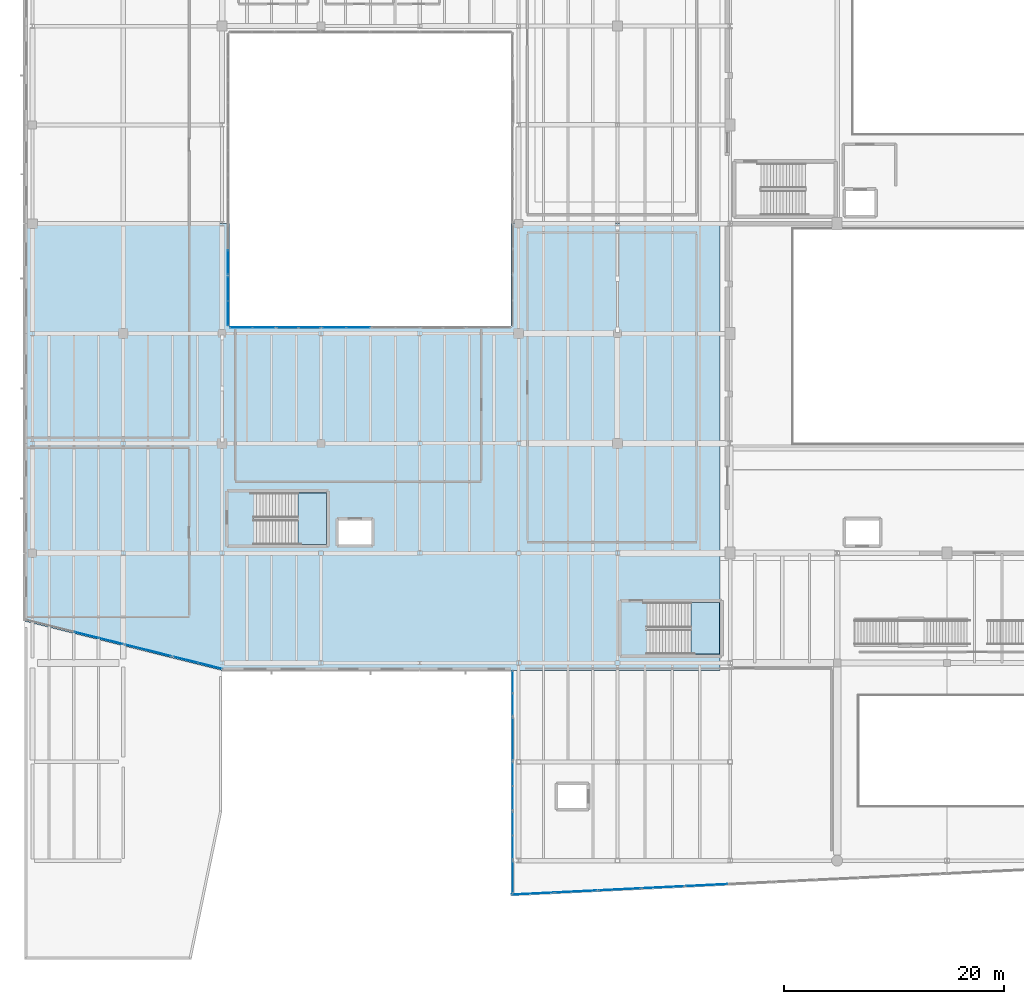
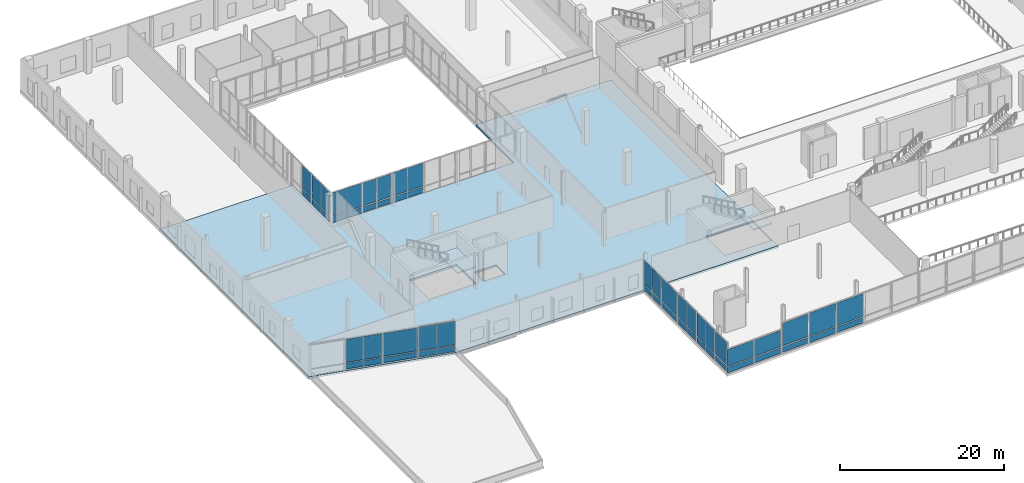
# One storey, part 51 of 81: 54 plates, 3 slabs, 20 elements without a shape of their own.
"""IFC4 building model written with IfcOpenShell, lengths in metres."""

from ifc_helpers import new_model, si_unit, direction, frame, origin, origin_2d, place, context, subcontext, project, spatial, polyline, rectangle, outline, extrude, material, layer, layer_set, type_object, element, aggregate, save


model = new_model("IFC4")

# Units and contexts
model_context = context("Model", 3, precision=1e-05, world=origin(), true_north=direction((0.0, 1.0)))
body_context = subcontext(model_context, "Body", "Model", "MODEL_VIEW")
ifc_project = project(units=[si_unit("LENGTHUNIT", "METRE"), si_unit("AREAUNIT", "SQUARE_METRE"), si_unit("VOLUMEUNIT", "CUBIC_METRE"), si_unit("PLANEANGLEUNIT", "RADIAN"), si_unit("MASSUNIT", "GRAM", prefix="KILO")], contexts=[model_context])

# Site, building, storey
site_placement = place(None, origin())
site = spatial("IfcSite", under=ifc_project, at=site_placement, CompositionType="ELEMENT")
building_placement = place(site_placement, origin())
building = spatial("IfcBuilding", under=site, at=building_placement, Name="Trimount Lyric Opera House", CompositionType="ELEMENT")
storey_placement = place(building_placement, frame((0.0, 0.0, 5.0)))
storey = spatial("IfcBuildingStorey", under=building, at=storey_placement, Name="L01", CompositionType="ELEMENT", Elevation=5.0)

# Curtain wall, plate
ifc_material_1 = material(Name="Thermally Broken Aluminium and Low-E Glass", Category="aluminium")
curtain_wall_type_1 = type_object("IfcCurtainWallType", Name="CW-01", PredefinedType="NOTDEFINED", material=ifc_material_1)
curtain_wall_1_placement = place(storey_placement, origin())
curtain_wall_1 = element("IfcCurtainWall", 1, at=curtain_wall_1_placement, inside=storey, type_object=curtain_wall_type_1, Name="L01 curtain wall 106", PredefinedType="NOTDEFINED")
ifc_material_2 = material(Name="Triple Low-E Acoustic Laminated Glass", Category="glass")
ifc_layer_1 = layer(ifc_material_2, 0.035888671875)
ifc_layer_set_1 = layer_set([ifc_layer_1], Name="CWP-01")
plate_type_1 = type_object("IfcPlateType", Name="CWP-01", PredefinedType="CURTAIN_PANEL", material=ifc_layer_set_1)
plate_1_placement = place(storey_placement, frame((62.1240234375, 23.775390625, 0.13525390625), z_axis=(0.0, 0.0, 1.0), x_axis=(-0.998814490119, -0.048678684537, 0.0)))
plate_1 = element("IfcPlate", 2, at=plate_1_placement, type_object=plate_type_1, Name="CW-01 panel 1.1", PredefinedType="CURTAIN_PANEL", context=body_context, shape_type="SweptSolid", body=[
    extrude(rectangle(XDim=3.752685546875, YDim=0.035888671875, at=origin_2d()), origin(), (0.0, 0.0, 1.0), 0.847412109375),
])

curtain_wall_2_placement = place(storey_placement, origin())
curtain_wall_2 = element("IfcCurtainWall", 3, at=curtain_wall_2_placement, inside=storey, type_object=curtain_wall_type_1, Name="L01 curtain wall 107", PredefinedType="NOTDEFINED")
plate_2_placement = place(storey_placement, frame((58.156005859375, 23.58203125, 0.114990234375), z_axis=(0.0, 0.0, 1.0), x_axis=(-0.998801934448, -0.048935628556, 0.0)))
plate_2 = element("IfcPlate", 4, at=plate_2_placement, type_object=plate_type_1, Name="CW-01 panel 1.1", PredefinedType="CURTAIN_PANEL", context=body_context, shape_type="SweptSolid", body=[
    extrude(rectangle(XDim=3.7626953125, YDim=0.035888671875, at=origin_2d()), origin(), (0.0, 0.0, 1.0), 0.87744140625),
])

curtain_wall_3_placement = place(storey_placement, origin())
curtain_wall_3 = element("IfcCurtainWall", 5, at=curtain_wall_3_placement, inside=storey, type_object=curtain_wall_type_1, Name="L01 curtain wall 108", PredefinedType="NOTDEFINED")
plate_3_placement = place(storey_placement, frame((54.18798828125, 23.388427734375, 0.159912109375), z_axis=(0.0, 0.0, 1.0), x_axis=(-0.998814490119, -0.048678684537, 0.0)))
plate_3 = element("IfcPlate", 6, at=plate_3_placement, type_object=plate_type_1, Name="CW-01 panel 1.1", PredefinedType="CURTAIN_PANEL", context=body_context, shape_type="SweptSolid", body=[
    extrude(rectangle(XDim=3.74267578125, YDim=0.035888671875, at=origin_2d()), origin(), (0.0, 0.0, 1.0), 0.81005859375),
])

curtain_wall_4_placement = place(storey_placement, origin())
curtain_wall_4 = element("IfcCurtainWall", 7, at=curtain_wall_4_placement, inside=storey, type_object=curtain_wall_type_1, Name="L01 curtain wall 109", PredefinedType="NOTDEFINED")
plate_4_placement = place(storey_placement, frame((50.219970703125, 23.194580078125, 0.13525390625), z_axis=(0.0, 0.0, 1.0), x_axis=(-0.998814490119, -0.048678684537, 0.0)))
plate_4 = element("IfcPlate", 8, at=plate_4_placement, type_object=plate_type_1, Name="CW-01 panel 1.1", PredefinedType="CURTAIN_PANEL", context=body_context, shape_type="SweptSolid", body=[
    extrude(rectangle(XDim=3.752685546875, YDim=0.035888671875, at=origin_2d()), origin(), (0.0, 0.0, 1.0), 0.847412109375),
])

curtain_wall_5_placement = place(storey_placement, origin())
curtain_wall_5 = element("IfcCurtainWall", 9, at=curtain_wall_5_placement, inside=storey, type_object=curtain_wall_type_1, Name="L01 curtain wall 110", PredefinedType="NOTDEFINED")
plate_5_placement = place(storey_placement, frame((46.251953125, 23.00146484375, 0.114990234375), z_axis=(0.0, 0.0, 1.0), x_axis=(-0.998814490119, -0.048678684537, 0.0)))
plate_5 = element("IfcPlate", 10, at=plate_5_placement, type_object=plate_type_1, Name="CW-01 panel 1.1", PredefinedType="CURTAIN_PANEL", context=body_context, shape_type="SweptSolid", body=[
    extrude(rectangle(XDim=3.7626953125, YDim=0.035888671875, at=origin_2d()), origin(), (0.0, 0.0, 1.0), 0.87744140625),
])

curtain_wall_6_placement = place(storey_placement, origin())
curtain_wall_6 = element("IfcCurtainWall", 11, at=curtain_wall_6_placement, inside=storey, type_object=curtain_wall_type_1, Name="L01 curtain wall 111", PredefinedType="NOTDEFINED")
plate_6_placement = place(storey_placement, frame((44.4599609375, 24.501953125, 0.159912109375), z_axis=(0.0, 0.0, 1.0), x_axis=(0.0, 1.0, 0.0)))
plate_6 = element("IfcPlate", 12, at=plate_6_placement, type_object=plate_type_1, Name="CW-01 panel 1.1", PredefinedType="CURTAIN_PANEL", context=body_context, shape_type="SweptSolid", body=[
    extrude(rectangle(XDim=2.85595703125, YDim=0.035888671875, at=origin_2d()), origin(), (0.0, 0.0, 1.0), 0.81005859375),
])

# Curtain wall, plates
curtain_wall_7_placement = place(storey_placement, origin())
curtain_wall_7 = element("IfcCurtainWall", 13, at=curtain_wall_7_placement, inside=storey, type_object=curtain_wall_type_1, Name="L01 curtain wall 112", PredefinedType="NOTDEFINED")
plate_7_placement = place(storey_placement, frame((44.4599609375, 27.208740234375, 0.13525390625), z_axis=(0.0, 0.0, 1.0), x_axis=(0.0, 1.0, 0.0)))
plate_7 = element("IfcPlate", 14, at=plate_7_placement, type_object=plate_type_1, Name="CW-01 panel 1.1", PredefinedType="CURTAIN_PANEL", context=body_context, shape_type="SweptSolid", body=[
    extrude(rectangle(XDim=2.107421875, YDim=0.035888671875, at=origin_2d()), origin(), (0.0, 0.0, 1.0), 0.847412109375),
])
plate_8_placement = place(storey_placement, frame((44.4599609375, 29.38134765625, 0.13525390625), z_axis=(0.0, 0.0, 1.0), x_axis=(0.0, 1.0, 0.0)))
plate_8 = element("IfcPlate", 15, at=plate_8_placement, type_object=plate_type_1, Name="CW-01 panel 2.1", PredefinedType="CURTAIN_PANEL", context=body_context, shape_type="SweptSolid", body=[
    extrude(rectangle(XDim=2.107421875, YDim=0.035888671875, at=origin_2d()), origin(), (0.0, 0.0, 1.0), 0.847412109375),
])

curtain_wall_8_placement = place(storey_placement, origin())
curtain_wall_8 = element("IfcCurtainWall", 16, at=curtain_wall_8_placement, inside=storey, type_object=curtain_wall_type_1, Name="L01 curtain wall 113", PredefinedType="NOTDEFINED")
plate_9_placement = place(storey_placement, frame((44.4599609375, 31.70751953125, 0.114990234375), z_axis=(0.0, 0.0, 1.0), x_axis=(0.0, 1.0, 0.0)))
plate_9 = element("IfcPlate", 17, at=plate_9_placement, type_object=plate_type_1, Name="CW-01 panel 1.1", PredefinedType="CURTAIN_PANEL", context=body_context, shape_type="SweptSolid", body=[
    extrude(rectangle(XDim=2.114990234375, YDim=0.035888671875, at=origin_2d()), origin(), (0.0, 0.0, 1.0), 0.87744140625),
])
plate_10_placement = place(storey_placement, frame((44.4599609375, 33.882568359375, 0.114990234375), z_axis=(0.0, 0.0, 1.0), x_axis=(0.0, 1.0, 0.0)))
plate_10 = element("IfcPlate", 18, at=plate_10_placement, type_object=plate_type_1, Name="CW-01 panel 2.1", PredefinedType="CURTAIN_PANEL", context=body_context, shape_type="SweptSolid", body=[
    extrude(rectangle(XDim=2.114990234375, YDim=0.035888671875, at=origin_2d()), origin(), (0.0, 0.0, 1.0), 0.87744140625),
])

# Curtain wall, plate
curtain_wall_9_placement = place(storey_placement, origin())
curtain_wall_9 = element("IfcCurtainWall", 19, at=curtain_wall_9_placement, inside=storey, type_object=curtain_wall_type_1, Name="L01 curtain wall 114", PredefinedType="NOTDEFINED")
plate_11_placement = place(storey_placement, frame((44.4599609375, 37.0849609375, 0.159912109375), z_axis=(0.0, 0.0, 1.0), x_axis=(0.0, 1.0, 0.0)))
plate_11 = element("IfcPlate", 20, at=plate_11_placement, type_object=plate_type_1, Name="CW-01 panel 1.1", PredefinedType="CURTAIN_PANEL", context=body_context, shape_type="SweptSolid", body=[
    extrude(rectangle(XDim=3.85009765625, YDim=0.035888671875, at=origin_2d()), origin(), (0.0, 0.0, 1.0), 0.81005859375),
])

# Curtain wall, plates
curtain_wall_10_placement = place(storey_placement, origin())
curtain_wall_10 = element("IfcCurtainWall", 21, at=curtain_wall_10_placement, inside=storey, type_object=curtain_wall_type_1, Name="L01 curtain wall 115", PredefinedType="NOTDEFINED")
plate_12_placement = place(storey_placement, frame((44.4599609375, 40.2236328125, 0.13525390625), z_axis=(0.0, 0.0, 1.0), x_axis=(0.0, 1.0, 0.0)))
plate_12 = element("IfcPlate", 22, at=plate_12_placement, type_object=plate_type_1, Name="CW-01 panel 1.1", PredefinedType="CURTAIN_PANEL", context=body_context, shape_type="SweptSolid", body=[
    extrude(rectangle(XDim=1.9775390625, YDim=0.035888671875, at=origin_2d()), origin(), (0.0, 0.0, 1.0), 0.847412109375),
])
plate_13_placement = place(storey_placement, frame((44.4599609375, 42.266357421875, 0.13525390625), z_axis=(0.0, 0.0, 1.0), x_axis=(0.0, 1.0, 0.0)))
plate_13 = element("IfcPlate", 23, at=plate_13_placement, type_object=plate_type_1, Name="CW-01 panel 2.1", PredefinedType="CURTAIN_PANEL", context=body_context, shape_type="SweptSolid", body=[
    extrude(rectangle(XDim=1.9775390625, YDim=0.035888671875, at=origin_2d()), origin(), (0.0, 0.0, 1.0), 0.847412109375),
])

ifc_material_3 = material(Name="Thermally Broken Aluminium and Low-E Glass", Category="aluminium")
curtain_wall_type_2 = type_object("IfcCurtainWallType", Name="CW-03", PredefinedType="NOTDEFINED", material=ifc_material_3)
curtain_wall_11_placement = place(storey_placement, origin())
curtain_wall_11 = element("IfcCurtainWall", 24, at=curtain_wall_11_placement, inside=storey, type_object=curtain_wall_type_2, Name="L01 curtain wall 143", PredefinedType="NOTDEFINED")
plate_14_placement = place(storey_placement, frame((19.735107421875, 74.5400390625, 0.114990234375), z_axis=(0.0, 0.0, 1.0), x_axis=(1.0, 0.0, 0.0)))
plate_14 = element("IfcPlate", 25, at=plate_14_placement, type_object=plate_type_1, Name="CW-03 panel 1.1", PredefinedType="CURTAIN_PANEL", context=body_context, shape_type="SweptSolid", body=[
    extrude(rectangle(XDim=1.989990234375, YDim=0.035888671875, at=origin_2d()), origin(), (0.0, 0.0, 1.0), 0.87744140625),
])
plate_15_placement = place(storey_placement, frame((21.784912109375, 74.5400390625, 0.114990234375), z_axis=(0.0, 0.0, 1.0), x_axis=(1.0, 0.0, 0.0)))
plate_15 = element("IfcPlate", 26, at=plate_15_placement, type_object=plate_type_1, Name="CW-03 panel 2.1", PredefinedType="CURTAIN_PANEL", context=body_context, shape_type="SweptSolid", body=[
    extrude(rectangle(XDim=1.989990234375, YDim=0.035888671875, at=origin_2d()), origin(), (0.0, 0.0, 1.0), 0.87744140625),
])

curtain_wall_12_placement = place(storey_placement, origin())
curtain_wall_12 = element("IfcCurtainWall", 27, at=curtain_wall_12_placement, inside=storey, type_object=curtain_wall_type_2, Name="L01 curtain wall 144", PredefinedType="NOTDEFINED")
plate_16_placement = place(storey_placement, frame((23.965087890625, 74.5400390625, 0.159912109375), z_axis=(0.0, 0.0, 1.0), x_axis=(1.0, 0.0, 0.0)))
plate_16 = element("IfcPlate", 28, at=plate_16_placement, type_object=plate_type_1, Name="CW-03 panel 1.1", PredefinedType="CURTAIN_PANEL", context=body_context, shape_type="SweptSolid", body=[
    extrude(rectangle(XDim=1.929931640625, YDim=0.035888671875, at=origin_2d()), origin(), (0.0, 0.0, 1.0), 0.81005859375),
])
plate_17_placement = place(storey_placement, frame((25.965087890625, 74.5400390625, 0.159912109375), z_axis=(0.0, 0.0, 1.0), x_axis=(1.0, 0.0, 0.0)))
plate_17 = element("IfcPlate", 29, at=plate_17_placement, type_object=plate_type_1, Name="CW-03 panel 2.1", PredefinedType="CURTAIN_PANEL", context=body_context, shape_type="SweptSolid", body=[
    extrude(rectangle(XDim=1.929931640625, YDim=0.035888671875, at=origin_2d()), origin(), (0.0, 0.0, 1.0), 0.81005859375),
])

curtain_wall_13_placement = place(storey_placement, origin())
curtain_wall_13 = element("IfcCurtainWall", 30, at=curtain_wall_13_placement, inside=storey, type_object=curtain_wall_type_2, Name="L01 curtain wall 145", PredefinedType="NOTDEFINED")
plate_18_placement = place(storey_placement, frame((28.208740234375, 74.5400390625, 0.13525390625), z_axis=(0.0, 0.0, 1.0), x_axis=(1.0, 0.0, 0.0)))
plate_18 = element("IfcPlate", 31, at=plate_18_placement, type_object=plate_type_1, Name="CW-03 panel 1.1", PredefinedType="CURTAIN_PANEL", context=body_context, shape_type="SweptSolid", body=[
    extrude(rectangle(XDim=2.107421875, YDim=0.035888671875, at=origin_2d()), origin(), (0.0, 0.0, 1.0), 0.847412109375),
])
plate_19_placement = place(storey_placement, frame((30.38134765625, 74.5400390625, 0.13525390625), z_axis=(0.0, 0.0, 1.0), x_axis=(1.0, 0.0, 0.0)))
plate_19 = element("IfcPlate", 32, at=plate_19_placement, type_object=plate_type_1, Name="CW-03 panel 2.1", PredefinedType="CURTAIN_PANEL", context=body_context, shape_type="SweptSolid", body=[
    extrude(rectangle(XDim=2.107421875, YDim=0.035888671875, at=origin_2d()), origin(), (0.0, 0.0, 1.0), 0.847412109375),
])

# Curtain wall, plate
curtain_wall_14_placement = place(storey_placement, origin())
curtain_wall_14 = element("IfcCurtainWall", 33, at=curtain_wall_14_placement, inside=storey, type_object=curtain_wall_type_2, Name="L01 curtain wall 165", PredefinedType="NOTDEFINED")
plate_20_placement = place(storey_placement, frame((18.5400390625, 80.5, 0.159912109375), z_axis=(0.0, 0.0, 1.0), x_axis=(0.0, -1.0, 0.0)))
plate_20 = element("IfcPlate", 34, at=plate_20_placement, type_object=plate_type_1, Name="CW-03 panel 2.1", PredefinedType="CURTAIN_PANEL", context=body_context, shape_type="SweptSolid", body=[
    extrude(rectangle(XDim=2.179931640625, YDim=0.035888671875, at=origin_2d()), origin(), (0.0, 0.0, 1.0), 0.81005859375),
])

# Curtain wall, plates
curtain_wall_15_placement = place(storey_placement, origin())
curtain_wall_15 = element("IfcCurtainWall", 35, at=curtain_wall_15_placement, inside=storey, type_object=curtain_wall_type_2, Name="L01 curtain wall 166", PredefinedType="NOTDEFINED")
plate_21_placement = place(storey_placement, frame((18.5400390625, 78.09130859375, 0.13525390625), z_axis=(0.0, 0.0, 1.0), x_axis=(0.0, -1.0, 0.0)))
plate_21 = element("IfcPlate", 36, at=plate_21_placement, type_object=plate_type_1, Name="CW-03 panel 1.1", PredefinedType="CURTAIN_PANEL", context=body_context, shape_type="SweptSolid", body=[
    extrude(rectangle(XDim=2.1875, YDim=0.035888671875, at=origin_2d()), origin(), (0.0, 0.0, 1.0), 0.847412109375),
])
plate_22_placement = place(storey_placement, frame((18.5400390625, 75.8388671875, 0.13525390625), z_axis=(0.0, 0.0, 1.0), x_axis=(0.0, -1.0, 0.0)))
plate_22 = element("IfcPlate", 37, at=plate_22_placement, type_object=plate_type_1, Name="CW-03 panel 2.1", PredefinedType="CURTAIN_PANEL", context=body_context, shape_type="SweptSolid", body=[
    extrude(rectangle(XDim=2.1875, YDim=0.035888671875, at=origin_2d()), origin(), (0.0, 0.0, 1.0), 0.847412109375),
])

ifc_material_4 = material(Name="Thermally Broken Aluminium and Low-E Glass", Category="aluminium")
curtain_wall_type_3 = type_object("IfcCurtainWallType", Name="CW-04", PredefinedType="NOTDEFINED", material=ifc_material_4)
curtain_wall_16_placement = place(storey_placement, origin())
curtain_wall_16 = element("IfcCurtainWall", 38, at=curtain_wall_16_placement, inside=storey, type_object=curtain_wall_type_3, Name="L01 curtain wall 116", PredefinedType="NOTDEFINED")
ifc_material_5 = material(Name="Double Low-E Insulated Vision Glass", Category="glass")
ifc_layer_2 = layer(ifc_material_5, 0.028076171875)
ifc_layer_set_2 = layer_set([ifc_layer_2], Name="CWP-03")
plate_type_2 = type_object("IfcPlateType", Name="CWP-03", PredefinedType="CURTAIN_PANEL", material=ifc_layer_set_2)
plate_23_placement = place(storey_placement, frame((16.89453125, 43.740966796875, 0.114990234375), z_axis=(0.0, 0.0, 1.0), x_axis=(-0.970142500145, 0.242535625038, 0.0)))
plate_23 = element("IfcPlate", 39, at=plate_23_placement, type_object=plate_type_2, Name="CW-04 panel 1.1", PredefinedType="CURTAIN_PANEL", context=body_context, shape_type="SweptSolid", body=[
    extrude(rectangle(XDim=2.229248046875, YDim=0.028076171875, at=origin_2d()), origin(), (0.0, 0.0, 1.0), 0.87744140625),
])
plate_24_placement = place(storey_placement, frame((14.673583984375, 44.296142578125, 0.114990234375), z_axis=(0.0, 0.0, 1.0), x_axis=(-0.970142500145, 0.242535625038, 0.0)))
plate_24 = element("IfcPlate", 40, at=plate_24_placement, type_object=plate_type_2, Name="CW-04 panel 2.1", PredefinedType="CURTAIN_PANEL", context=body_context, shape_type="SweptSolid", body=[
    extrude(rectangle(XDim=2.229248046875, YDim=0.028076171875, at=origin_2d()), origin(), (0.0, 0.0, 1.0), 0.87744140625),
])

# Curtain wall, plate
curtain_wall_17_placement = place(storey_placement, origin())
curtain_wall_17 = element("IfcCurtainWall", 41, at=curtain_wall_17_placement, inside=storey, type_object=curtain_wall_type_3, Name="L01 curtain wall 117", PredefinedType="NOTDEFINED")
plate_25_placement = place(storey_placement, frame((11.279541015625, 45.14453125, 0.159912109375), z_axis=(0.0, 0.0, 1.0), x_axis=(-0.970181981768, 0.242377643881, 0.0)))
plate_25 = element("IfcPlate", 42, at=plate_25_placement, type_object=plate_type_2, Name="CW-04 panel 1.1", PredefinedType="CURTAIN_PANEL", context=body_context, shape_type="SweptSolid", body=[
    extrude(rectangle(XDim=4.328125, YDim=0.028076171875, at=origin_2d()), origin(), (0.0, 0.0, 1.0), 0.81005859375),
])

# Curtain wall, plates
curtain_wall_18_placement = place(storey_placement, origin())
curtain_wall_18 = element("IfcCurtainWall", 43, at=curtain_wall_18_placement, inside=storey, type_object=curtain_wall_type_3, Name="L01 curtain wall 118", PredefinedType="NOTDEFINED")
plate_26_placement = place(storey_placement, frame((7.886474609375, 45.99267578125, 0.13525390625), z_axis=(0.0, 0.0, 1.0), x_axis=(-0.970129791965, 0.242586452098, 0.0)))
plate_26 = element("IfcPlate", 44, at=plate_26_placement, type_object=plate_type_2, Name="CW-04 panel 1.1", PredefinedType="CURTAIN_PANEL", context=body_context, shape_type="SweptSolid", body=[
    extrude(rectangle(XDim=2.217041015625, YDim=0.028076171875, at=origin_2d()), origin(), (0.0, 0.0, 1.0), 0.847412109375),
])
plate_27_placement = place(storey_placement, frame((5.672607421875, 46.54638671875, 0.13525390625), z_axis=(0.0, 0.0, 1.0), x_axis=(-0.970129791965, 0.242586452098, 0.0)))
plate_27 = element("IfcPlate", 45, at=plate_27_placement, type_object=plate_type_2, Name="CW-04 panel 2.1", PredefinedType="CURTAIN_PANEL", context=body_context, shape_type="SweptSolid", body=[
    extrude(rectangle(XDim=2.217041015625, YDim=0.028076171875, at=origin_2d()), origin(), (0.0, 0.0, 1.0), 0.847412109375),
])

# Plate
ifc_material_6 = material(Name="Insulated Aluminium Shadow-Box Spandrel Panel", Category="aluminium")
ifc_layer_3 = layer(ifc_material_6, 0.0419921875)
ifc_layer_set_3 = layer_set([ifc_layer_3], Name="CWP-04")
plate_type_3 = type_object("IfcPlateType", Name="CWP-04", PredefinedType="CURTAIN_PANEL", material=ifc_layer_set_3)
plate_28_placement = place(storey_placement, frame((62.1240234375, 23.775390625, 1.117431640625), z_axis=(0.0, 0.0, 1.0), x_axis=(-0.998814490119, -0.048678684537, 0.0)))
plate_28 = element("IfcPlate", 46, at=plate_28_placement, type_object=plate_type_3, Name="CW-01 panel 1.2", PredefinedType="CURTAIN_PANEL", context=body_context, shape_type="SweptSolid", body=[
    extrude(rectangle(XDim=3.752685546875, YDim=0.035888671875, at=origin_2d()), origin(), (0.0, 0.0, 1.0), 3.3974609375),
])

aggregate(curtain_wall_1, [plate_1, plate_28])

plate_29_placement = place(storey_placement, frame((58.156005859375, 23.58203125, 1.107421875), z_axis=(0.0, 0.0, 1.0), x_axis=(-0.998801934448, -0.048935628556, 0.0)))
plate_29 = element("IfcPlate", 47, at=plate_29_placement, type_object=plate_type_3, Name="CW-01 panel 1.2", PredefinedType="CURTAIN_PANEL", context=body_context, shape_type="SweptSolid", body=[
    extrude(rectangle(XDim=3.7626953125, YDim=0.035888671875, at=origin_2d()), origin(), (0.0, 0.0, 1.0), 3.427490234375),
])

aggregate(curtain_wall_2, [plate_2, plate_29])

plate_30_placement = place(storey_placement, frame((54.18798828125, 23.388427734375, 1.1298828125), z_axis=(0.0, 0.0, 1.0), x_axis=(-0.998814490119, -0.048678684537, 0.0)))
plate_30 = element("IfcPlate", 48, at=plate_30_placement, type_object=plate_type_3, Name="CW-01 panel 1.2", PredefinedType="CURTAIN_PANEL", context=body_context, shape_type="SweptSolid", body=[
    extrude(rectangle(XDim=3.74267578125, YDim=0.035888671875, at=origin_2d()), origin(), (0.0, 0.0, 1.0), 3.360107421875),
])

aggregate(curtain_wall_3, [plate_3, plate_30])

plate_31_placement = place(storey_placement, frame((50.219970703125, 23.194580078125, 1.117431640625), z_axis=(0.0, 0.0, 1.0), x_axis=(-0.998814490119, -0.048678684537, 0.0)))
plate_31 = element("IfcPlate", 49, at=plate_31_placement, type_object=plate_type_3, Name="CW-01 panel 1.2", PredefinedType="CURTAIN_PANEL", context=body_context, shape_type="SweptSolid", body=[
    extrude(rectangle(XDim=3.752685546875, YDim=0.035888671875, at=origin_2d()), origin(), (0.0, 0.0, 1.0), 2.4404296875),
])

aggregate(curtain_wall_4, [plate_4, plate_31])

plate_32_placement = place(storey_placement, frame((46.251953125, 23.00146484375, 1.107421875), z_axis=(0.0, 0.0, 1.0), x_axis=(-0.998814490119, -0.048678684537, 0.0)))
plate_32 = element("IfcPlate", 50, at=plate_32_placement, type_object=plate_type_3, Name="CW-01 panel 1.2", PredefinedType="CURTAIN_PANEL", context=body_context, shape_type="SweptSolid", body=[
    extrude(rectangle(XDim=3.7626953125, YDim=0.035888671875, at=origin_2d()), origin(), (0.0, 0.0, 1.0), 2.470458984375),
])

aggregate(curtain_wall_5, [plate_5, plate_32])

plate_33_placement = place(storey_placement, frame((44.4599609375, 24.501953125, 1.1298828125), z_axis=(0.0, 0.0, 1.0), x_axis=(0.0, 1.0, 0.0)))
plate_33 = element("IfcPlate", 51, at=plate_33_placement, type_object=plate_type_3, Name="CW-01 panel 1.2", PredefinedType="CURTAIN_PANEL", context=body_context, shape_type="SweptSolid", body=[
    extrude(rectangle(XDim=2.85595703125, YDim=0.035888671875, at=origin_2d()), origin(), (0.0, 0.0, 1.0), 3.360107421875),
])

aggregate(curtain_wall_6, [plate_6, plate_33])

plate_34_placement = place(storey_placement, frame((44.4599609375, 27.208740234375, 1.117431640625), z_axis=(0.0, 0.0, 1.0), x_axis=(0.0, 1.0, 0.0)))
plate_34 = element("IfcPlate", 52, at=plate_34_placement, type_object=plate_type_3, Name="CW-01 panel 1.2", PredefinedType="CURTAIN_PANEL", context=body_context, shape_type="SweptSolid", body=[
    extrude(rectangle(XDim=2.107421875, YDim=0.035888671875, at=origin_2d()), origin(), (0.0, 0.0, 1.0), 3.3974609375),
])

plate_35_placement = place(storey_placement, frame((44.4599609375, 29.38134765625, 1.117431640625), z_axis=(0.0, 0.0, 1.0), x_axis=(0.0, 1.0, 0.0)))
plate_35 = element("IfcPlate", 53, at=plate_35_placement, type_object=plate_type_3, Name="CW-01 panel 2.2", PredefinedType="CURTAIN_PANEL", context=body_context, shape_type="SweptSolid", body=[
    extrude(rectangle(XDim=2.107421875, YDim=0.035888671875, at=origin_2d()), origin(), (0.0, 0.0, 1.0), 3.3974609375),
])

aggregate(curtain_wall_7, [plate_7, plate_34, plate_8, plate_35])

plate_36_placement = place(storey_placement, frame((44.4599609375, 31.70751953125, 1.107421875), z_axis=(0.0, 0.0, 1.0), x_axis=(0.0, 1.0, 0.0)))
plate_36 = element("IfcPlate", 54, at=plate_36_placement, type_object=plate_type_3, Name="CW-01 panel 1.2", PredefinedType="CURTAIN_PANEL", context=body_context, shape_type="SweptSolid", body=[
    extrude(rectangle(XDim=2.114990234375, YDim=0.035888671875, at=origin_2d()), origin(), (0.0, 0.0, 1.0), 3.427490234375),
])

plate_37_placement = place(storey_placement, frame((44.4599609375, 33.882568359375, 1.107421875), z_axis=(0.0, 0.0, 1.0), x_axis=(0.0, 1.0, 0.0)))
plate_37 = element("IfcPlate", 55, at=plate_37_placement, type_object=plate_type_3, Name="CW-01 panel 2.2", PredefinedType="CURTAIN_PANEL", context=body_context, shape_type="SweptSolid", body=[
    extrude(rectangle(XDim=2.114990234375, YDim=0.035888671875, at=origin_2d()), origin(), (0.0, 0.0, 1.0), 3.427490234375),
])

aggregate(curtain_wall_8, [plate_9, plate_36, plate_10, plate_37])

plate_38_placement = place(storey_placement, frame((44.4599609375, 37.0849609375, 1.1298828125), z_axis=(0.0, 0.0, 1.0), x_axis=(0.0, 1.0, 0.0)))
plate_38 = element("IfcPlate", 56, at=plate_38_placement, type_object=plate_type_3, Name="CW-01 panel 1.2", PredefinedType="CURTAIN_PANEL", context=body_context, shape_type="SweptSolid", body=[
    extrude(rectangle(XDim=3.85009765625, YDim=0.035888671875, at=origin_2d()), origin(), (0.0, 0.0, 1.0), 3.360107421875),
])

aggregate(curtain_wall_9, [plate_11, plate_38])

plate_39_placement = place(storey_placement, frame((44.4599609375, 40.2236328125, 1.117431640625), z_axis=(0.0, 0.0, 1.0), x_axis=(0.0, 1.0, 0.0)))
plate_39 = element("IfcPlate", 57, at=plate_39_placement, type_object=plate_type_3, Name="CW-01 panel 1.2", PredefinedType="CURTAIN_PANEL", context=body_context, shape_type="SweptSolid", body=[
    extrude(rectangle(XDim=1.9775390625, YDim=0.035888671875, at=origin_2d()), origin(), (0.0, 0.0, 1.0), 3.3974609375),
])

plate_40_placement = place(storey_placement, frame((44.4599609375, 42.266357421875, 1.117431640625), z_axis=(0.0, 0.0, 1.0), x_axis=(0.0, 1.0, 0.0)))
plate_40 = element("IfcPlate", 58, at=plate_40_placement, type_object=plate_type_3, Name="CW-01 panel 2.2", PredefinedType="CURTAIN_PANEL", context=body_context, shape_type="SweptSolid", body=[
    extrude(rectangle(XDim=1.9775390625, YDim=0.035888671875, at=origin_2d()), origin(), (0.0, 0.0, 1.0), 3.3974609375),
])

aggregate(curtain_wall_10, [plate_12, plate_39, plate_13, plate_40])

plate_41_placement = place(storey_placement, frame((16.89453125, 43.740966796875, 1.107421875), z_axis=(0.0, 0.0, 1.0), x_axis=(-0.970142500145, 0.242535625038, 0.0)))
plate_41 = element("IfcPlate", 59, at=plate_41_placement, type_object=plate_type_3, Name="CW-04 panel 1.2", PredefinedType="CURTAIN_PANEL", context=body_context, shape_type="SweptSolid", body=[
    extrude(rectangle(XDim=2.229248046875, YDim=0.028076171875, at=origin_2d()), origin(), (0.0, 0.0, 1.0), 3.45751953125),
])

plate_42_placement = place(storey_placement, frame((14.673583984375, 44.296142578125, 1.107421875), z_axis=(0.0, 0.0, 1.0), x_axis=(-0.970142500145, 0.242535625038, 0.0)))
plate_42 = element("IfcPlate", 60, at=plate_42_placement, type_object=plate_type_3, Name="CW-04 panel 2.2", PredefinedType="CURTAIN_PANEL", context=body_context, shape_type="SweptSolid", body=[
    extrude(rectangle(XDim=2.229248046875, YDim=0.028076171875, at=origin_2d()), origin(), (0.0, 0.0, 1.0), 3.45751953125),
])

aggregate(curtain_wall_16, [plate_23, plate_41, plate_24, plate_42])

plate_43_placement = place(storey_placement, frame((11.279541015625, 45.14453125, 1.1298828125), z_axis=(0.0, 0.0, 1.0), x_axis=(-0.970181981768, 0.242377643881, 0.0)))
plate_43 = element("IfcPlate", 61, at=plate_43_placement, type_object=plate_type_3, Name="CW-04 panel 1.2", PredefinedType="CURTAIN_PANEL", context=body_context, shape_type="SweptSolid", body=[
    extrude(rectangle(XDim=4.328125, YDim=0.028076171875, at=origin_2d()), origin(), (0.0, 0.0, 1.0), 3.389892578125),
])

aggregate(curtain_wall_17, [plate_25, plate_43])

plate_44_placement = place(storey_placement, frame((7.886474609375, 45.99267578125, 1.11767578125), z_axis=(0.0, 0.0, 1.0), x_axis=(-0.970129791965, 0.242586452098, 0.0)))
plate_44 = element("IfcPlate", 62, at=plate_44_placement, type_object=plate_type_3, Name="CW-04 panel 1.2", PredefinedType="CURTAIN_PANEL", context=body_context, shape_type="SweptSolid", body=[
    extrude(rectangle(XDim=2.217041015625, YDim=0.028076171875, at=origin_2d()), origin(), (0.0, 0.0, 1.0), 3.427490234375),
])

plate_45_placement = place(storey_placement, frame((5.672607421875, 46.54638671875, 1.11767578125), z_axis=(0.0, 0.0, 1.0), x_axis=(-0.970129791965, 0.242586452098, 0.0)))
plate_45 = element("IfcPlate", 63, at=plate_45_placement, type_object=plate_type_3, Name="CW-04 panel 2.2", PredefinedType="CURTAIN_PANEL", context=body_context, shape_type="SweptSolid", body=[
    extrude(rectangle(XDim=2.217041015625, YDim=0.028076171875, at=origin_2d()), origin(), (0.0, 0.0, 1.0), 3.427490234375),
])

aggregate(curtain_wall_18, [plate_26, plate_44, plate_27, plate_45])

plate_46_placement = place(storey_placement, frame((19.735107421875, 74.5400390625, 1.107421875), z_axis=(0.0, 0.0, 1.0), x_axis=(1.0, 0.0, 0.0)))
plate_46 = element("IfcPlate", 64, at=plate_46_placement, type_object=plate_type_3, Name="CW-03 panel 1.2", PredefinedType="CURTAIN_PANEL", context=body_context, shape_type="SweptSolid", body=[
    extrude(rectangle(XDim=1.989990234375, YDim=0.035888671875, at=origin_2d()), origin(), (0.0, 0.0, 1.0), 3.45751953125),
])

plate_47_placement = place(storey_placement, frame((21.784912109375, 74.5400390625, 1.107421875), z_axis=(0.0, 0.0, 1.0), x_axis=(1.0, 0.0, 0.0)))
plate_47 = element("IfcPlate", 65, at=plate_47_placement, type_object=plate_type_3, Name="CW-03 panel 2.2", PredefinedType="CURTAIN_PANEL", context=body_context, shape_type="SweptSolid", body=[
    extrude(rectangle(XDim=1.989990234375, YDim=0.035888671875, at=origin_2d()), origin(), (0.0, 0.0, 1.0), 3.45751953125),
])

aggregate(curtain_wall_11, [plate_14, plate_46, plate_15, plate_47])

plate_48_placement = place(storey_placement, frame((23.965087890625, 74.5400390625, 1.1298828125), z_axis=(0.0, 0.0, 1.0), x_axis=(1.0, 0.0, 0.0)))
plate_48 = element("IfcPlate", 66, at=plate_48_placement, type_object=plate_type_3, Name="CW-03 panel 1.2", PredefinedType="CURTAIN_PANEL", context=body_context, shape_type="SweptSolid", body=[
    extrude(rectangle(XDim=1.929931640625, YDim=0.035888671875, at=origin_2d()), origin(), (0.0, 0.0, 1.0), 3.389892578125),
])

plate_49_placement = place(storey_placement, frame((25.965087890625, 74.5400390625, 1.1298828125), z_axis=(0.0, 0.0, 1.0), x_axis=(1.0, 0.0, 0.0)))
plate_49 = element("IfcPlate", 67, at=plate_49_placement, type_object=plate_type_3, Name="CW-03 panel 2.2", PredefinedType="CURTAIN_PANEL", context=body_context, shape_type="SweptSolid", body=[
    extrude(rectangle(XDim=1.929931640625, YDim=0.035888671875, at=origin_2d()), origin(), (0.0, 0.0, 1.0), 3.389892578125),
])

aggregate(curtain_wall_12, [plate_16, plate_48, plate_17, plate_49])

plate_50_placement = place(storey_placement, frame((28.208740234375, 74.5400390625, 1.11767578125), z_axis=(0.0, 0.0, 1.0), x_axis=(1.0, 0.0, 0.0)))
plate_50 = element("IfcPlate", 68, at=plate_50_placement, type_object=plate_type_3, Name="CW-03 panel 1.2", PredefinedType="CURTAIN_PANEL", context=body_context, shape_type="SweptSolid", body=[
    extrude(rectangle(XDim=2.107421875, YDim=0.035888671875, at=origin_2d()), origin(), (0.0, 0.0, 1.0), 3.427490234375),
])

plate_51_placement = place(storey_placement, frame((30.38134765625, 74.5400390625, 1.11767578125), z_axis=(0.0, 0.0, 1.0), x_axis=(1.0, 0.0, 0.0)))
plate_51 = element("IfcPlate", 69, at=plate_51_placement, type_object=plate_type_3, Name="CW-03 panel 2.2", PredefinedType="CURTAIN_PANEL", context=body_context, shape_type="SweptSolid", body=[
    extrude(rectangle(XDim=2.107421875, YDim=0.035888671875, at=origin_2d()), origin(), (0.0, 0.0, 1.0), 3.427490234375),
])

aggregate(curtain_wall_13, [plate_18, plate_50, plate_19, plate_51])

plate_52_placement = place(storey_placement, frame((18.5400390625, 80.5, 1.1298828125), z_axis=(0.0, 0.0, 1.0), x_axis=(0.0, -1.0, 0.0)))
plate_52 = element("IfcPlate", 70, at=plate_52_placement, type_object=plate_type_3, Name="CW-03 panel 2.2", PredefinedType="CURTAIN_PANEL", context=body_context, shape_type="SweptSolid", body=[
    extrude(rectangle(XDim=2.179931640625, YDim=0.035888671875, at=origin_2d()), origin(), (0.0, 0.0, 1.0), 3.389892578125),
])

aggregate(curtain_wall_14, [plate_20, plate_52])

plate_53_placement = place(storey_placement, frame((18.5400390625, 78.09130859375, 1.11767578125), z_axis=(0.0, 0.0, 1.0), x_axis=(0.0, -1.0, 0.0)))
plate_53 = element("IfcPlate", 71, at=plate_53_placement, type_object=plate_type_3, Name="CW-03 panel 1.2", PredefinedType="CURTAIN_PANEL", context=body_context, shape_type="SweptSolid", body=[
    extrude(rectangle(XDim=2.1875, YDim=0.035888671875, at=origin_2d()), origin(), (0.0, 0.0, 1.0), 3.427490234375),
])

plate_54_placement = place(storey_placement, frame((18.5400390625, 75.8388671875, 1.11767578125), z_axis=(0.0, 0.0, 1.0), x_axis=(0.0, -1.0, 0.0)))
plate_54 = element("IfcPlate", 72, at=plate_54_placement, type_object=plate_type_3, Name="CW-03 panel 2.2", PredefinedType="CURTAIN_PANEL", context=body_context, shape_type="SweptSolid", body=[
    extrude(rectangle(XDim=2.1875, YDim=0.035888671875, at=origin_2d()), origin(), (0.0, 0.0, 1.0), 3.427490234375),
])

aggregate(curtain_wall_15, [plate_21, plate_53, plate_22, plate_54])

# Slab
ifc_material_7 = material(Name="Concrete C40/50", Category="concrete")
ifc_layer_4 = layer(ifc_material_7, 0.280029296875)
ifc_layer_set_4 = layer_set([ifc_layer_4], Name="SL-FL280")
slab_type_1 = type_object("IfcSlabType", Name="SL-FL280", PredefinedType="FLOOR", material=ifc_layer_set_4)
slab_1_placement = place(storey_placement, frame((0.0, 0.0, -0.280029296875)))
element("IfcSlab", 73, at=slab_1_placement, inside=storey, type_object=slab_type_1, Name="L01 floor slab L01-WEST-S", PredefinedType="FLOOR", context=body_context, shape_type="SweptSolid", body=[
    extrude(outline(polyline([(63.320068359375, 43.320068359375), (18.0, 43.320068359375), (0.0, 47.820068359375), (0.0, 84.0), (18.679931640625, 84.0), (18.679931640625, 74.679931640625), (44.320068359375, 74.679931640625), (44.320068359375, 84.0), (63.320068359375, 84.0), (63.320068359375, 43.320068359375)]), holes=[polyline([(63.300048828125, 49.5), (56.699951171875, 49.5), (56.699951171875, 44.800048828125), (63.300048828125, 44.800048828125), (63.300048828125, 49.5)]), polyline([(31.60009765625, 57.0), (28.60009765625, 57.0), (28.60009765625, 54.800048828125), (31.60009765625, 54.800048828125), (31.60009765625, 57.0)]), polyline([(27.5, 59.5), (20.89990234375, 59.5), (20.89990234375, 54.800048828125), (27.5, 54.800048828125), (27.5, 59.5)])]), origin(), (0.0, 0.0, 1.0), 0.280029296875),
])

# Stair, slab
ifc_material_8 = material(Name="Concrete C40/50", Category="concrete")
stair_type = type_object("IfcStairType", Name="STR-CORE-A", PredefinedType="TWO_QUARTER_TURN_STAIR", material=ifc_material_8)
stair_1_placement = place(storey_placement, origin())
stair_1 = element("IfcStair", 74, at=stair_1_placement, inside=storey, type_object=stair_type, Name="L01 Exit Stair ST-06", PredefinedType="TWO_QUARTER_TURN_STAIR")
ifc_material_9 = material(Name="Concrete C40/50", Category="concrete")
ifc_layer_5 = layer(ifc_material_9, 0.199951171875)
ifc_layer_set_5 = layer_set([ifc_layer_5], Name="SL-LND200")
slab_type_2 = type_object("IfcSlabType", Name="SL-LND200", PredefinedType="LANDING", material=ifc_layer_set_5)
slab_2_placement = place(storey_placement, frame((0.0, 0.0, 2.300048828125)))
slab_2 = element("IfcSlab", 75, at=slab_2_placement, type_object=slab_type_2, Name="ST-06 landing 1", PredefinedType="LANDING", context=body_context, shape_type="SweptSolid", body=[
    extrude(outline(polyline([(24.909912109375, 54.800048828125), (27.5, 54.800048828125), (27.5, 59.5), (24.909912109375, 59.5), (24.909912109375, 54.800048828125)])), origin(), (0.0, 0.0, 1.0), 0.199951171875),
])
aggregate(stair_1, [slab_2])

stair_2_placement = place(storey_placement, origin())
stair_2 = element("IfcStair", 76, at=stair_2_placement, inside=storey, type_object=stair_type, Name="L01 Exit Stair ST-07", PredefinedType="TWO_QUARTER_TURN_STAIR")
slab_3_placement = place(storey_placement, frame((0.0, 0.0, 2.300048828125)))
slab_3 = element("IfcSlab", 77, at=slab_3_placement, type_object=slab_type_2, Name="ST-07 landing 1", PredefinedType="LANDING", context=body_context, shape_type="SweptSolid", body=[
    extrude(outline(polyline([(60.7099609375, 44.800048828125), (63.300048828125, 44.800048828125), (63.300048828125, 49.5), (60.7099609375, 49.5), (60.7099609375, 44.800048828125)])), origin(), (0.0, 0.0, 1.0), 0.199951171875),
])
aggregate(stair_2, [slab_3])

save(model, "model.ifc")
